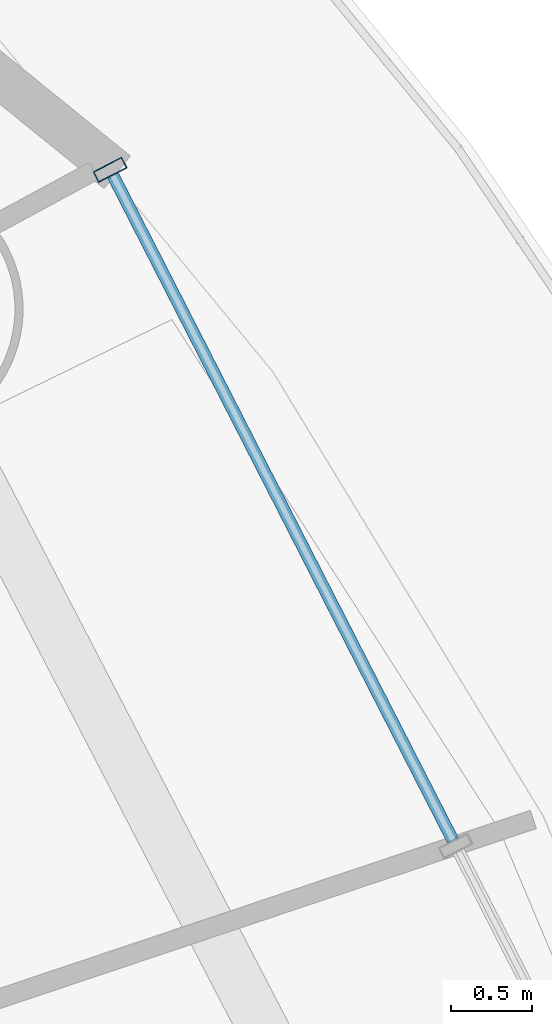
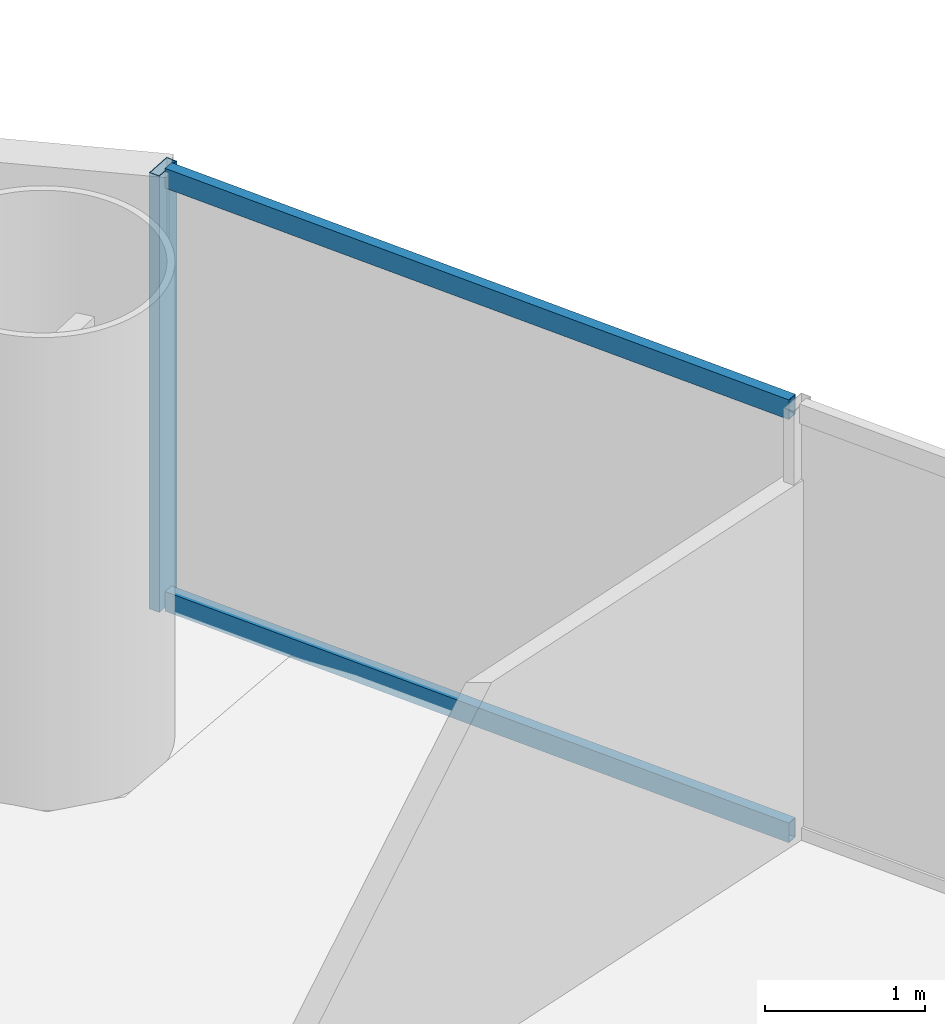
# One storey, part 20 of 29: 3 members, 1 element without a shape of its own.
"""IFC4 building model written with IfcOpenShell, lengths in metres."""

from ifc_helpers import new_model, si_unit, direction, frame, origin, origin_2d, place, context, subcontext, project, spatial, hollow_rectangle, extrude, source, transform, mapped, material, material_profile, profile_set, type_object, element, aggregate, save


model = new_model("IFC4")

# Units and contexts
model_context = context("Model", 3, precision=1e-05, world=origin(), true_north=direction((-0.2419218956, 0.970295726276)))
body_context = subcontext(model_context, "Body", "Model", "MODEL_VIEW")
ifc_project = project(units=[si_unit("LENGTHUNIT", "METRE"), si_unit("AREAUNIT", "SQUARE_METRE"), si_unit("VOLUMEUNIT", "CUBIC_METRE"), si_unit("PLANEANGLEUNIT", "RADIAN"), si_unit("MASSUNIT", "GRAM", prefix="KILO")], contexts=[model_context])

# Site, building, storey
site_placement = place(None, origin())
site = spatial("IfcSite", under=ifc_project, at=site_placement, CompositionType="ELEMENT")
building_placement = place(site_placement, origin())
building = spatial("IfcBuilding", under=site, at=building_placement, Name="Cobrevalo Terracotta Tower", CompositionType="ELEMENT")
storey_placement = place(building_placement, frame((0.0, 0.0, 45.60009765625)))
storey = spatial("IfcBuildingStorey", under=building, at=storey_placement, Name="L11", CompositionType="ELEMENT", Elevation=45.60009765625)

# Curtain wall, members
ifc_material = material(Name="Anodized aluminium", Category="aluminium")
curtain_wall_type = type_object("IfcCurtainWallType", Name="Lower-tower unitised acoustic low-E curtain wall CW-U1", PredefinedType="NOTDEFINED", material=ifc_material)
curtain_wall_placement = place(storey_placement, origin())
curtain_wall = element("IfcCurtainWall", 1, at=curtain_wall_placement, inside=storey, type_object=curtain_wall_type, Name="L11 curtain wall CW-L11-S01", PredefinedType="NOTDEFINED")
ifc_material_profile_1 = material_profile(ifc_material, hollow_rectangle(XDim=0.074951171875, YDim=0.199951171875, WallThickness=0.0048828125, at=origin_2d()), Name="CWM 75x200")
ifc_profile_set_1 = profile_set([ifc_material_profile_1], Name="Anodized aluminium")
member_type_1 = type_object("IfcMemberType", Name="Lower/mid tower unitised mullion 75x200", PredefinedType="MULLION", material=ifc_profile_set_1)
shared_shape_1 = source(origin(), body_context, "Body", "SweptSolid", [
    extrude(hollow_rectangle(XDim=0.074951171875, YDim=0.199951171875, WallThickness=0.0048828125, at=origin_2d()), origin(), (0.0, 0.0, 1.0), 3.31982421875),
])
member_1_placement = place(storey_placement, frame((62.10595703125, 39.8037109375, 0.0), z_axis=(0.0, 0.0, 1.0), x_axis=(-0.455234136597, 0.890371765543, 0.0)))
member_1 = element("IfcMember", 2, at=member_1_placement, type_object=member_type_1, Name="CW-L11-S01 vertical mullion 03", PredefinedType="MULLION", context=body_context, shape_type="MappedRepresentation", body=[
    mapped(shared_shape_1, transform((0.0, 0.0, 0.0), scale=1.0)),
])
ifc_material_profile_2 = material_profile(ifc_material, hollow_rectangle(XDim=0.074951171875, YDim=0.14990234375, WallThickness=0.00439453125, at=origin_2d()), Name="CWT 75x150")
ifc_profile_set_2 = profile_set([ifc_material_profile_2], Name="Anodized aluminium")
member_type_2 = type_object("IfcMemberType", Name="Tower unitised aluminium transom 75x150", PredefinedType="USERDEFINED", material=ifc_profile_set_2)
shared_shape_2 = source(origin(), body_context, "Body", "SweptSolid", [
    extrude(hollow_rectangle(XDim=0.074951171875, YDim=0.14990234375, WallThickness=0.00439453125, at=origin_2d()), origin(), (0.0, 0.0, 1.0), 4.63134765625),
])
member_2_placement = place(storey_placement, frame((64.232421875, 35.64453125, 0.0498046875), z_axis=(-0.455250376494, 0.890363462133, 0.0), x_axis=(-0.890363462133, -0.455250376494, 0.0)))
member_2 = element("IfcMember", 3, at=member_2_placement, type_object=member_type_2, Name="CW-L11-S01 transom B02-T1", ObjectType="TRANSOM", PredefinedType="USERDEFINED", context=body_context, shape_type="MappedRepresentation", body=[
    mapped(shared_shape_2, transform((0.0, 0.0, 0.0), scale=1.0)),
])
member_3_placement = place(storey_placement, frame((64.232421875, 35.64453125, 3.27001953125), z_axis=(-0.455250376494, 0.890363462133, 0.0), x_axis=(-0.890363462133, -0.455250376494, 0.0)))
member_3 = element("IfcMember", 4, at=member_3_placement, type_object=member_type_2, Name="CW-L11-S01 transom B02-T2", ObjectType="TRANSOM", PredefinedType="USERDEFINED", context=body_context, shape_type="MappedRepresentation", body=[
    mapped(shared_shape_2, transform((0.0, 0.0, 0.0), scale=1.0)),
])
aggregate(curtain_wall, [member_1, member_2, member_3])

save(model, "model.ifc")
